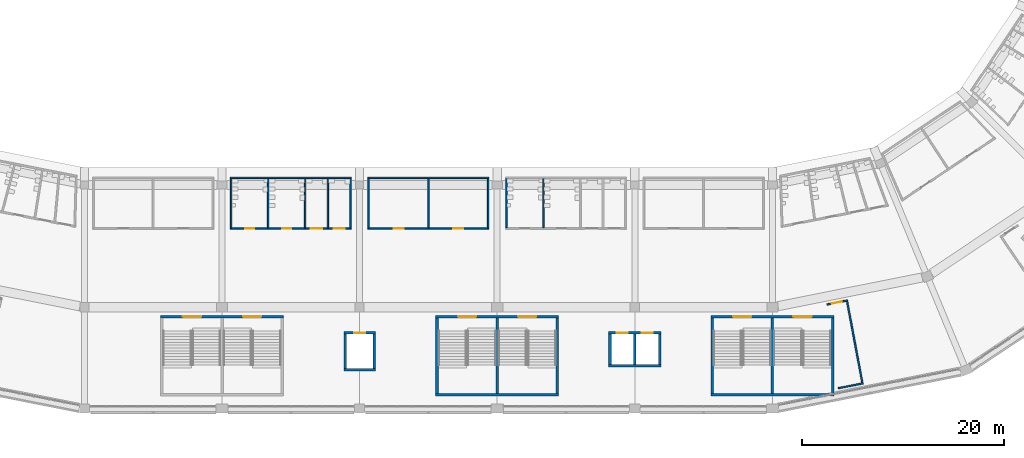
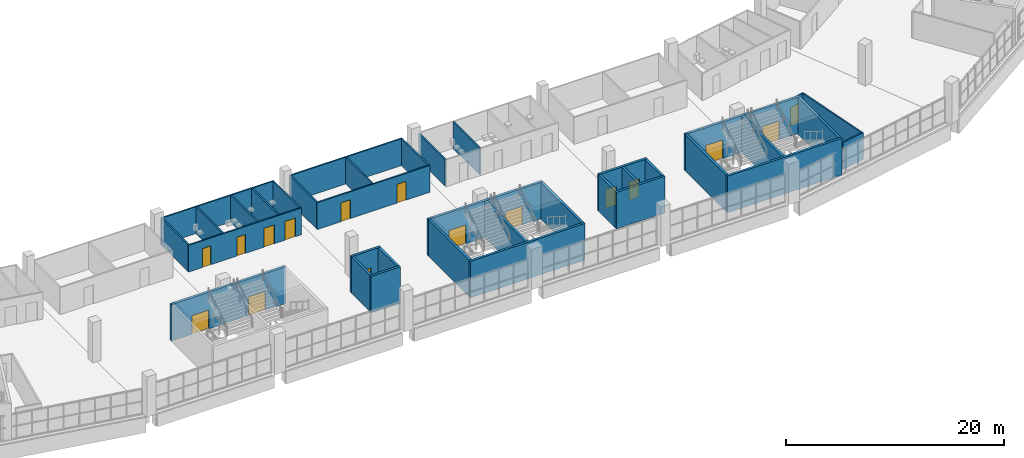
# One storey, part 77 of 199: 37 walls, 16 doors, 16 openings.
"""IFC4 building model written with IfcOpenShell, lengths in metres."""

from ifc_helpers import new_model, si_unit, direction, frame, frame_2d, origin, place, context, subcontext, project, spatial, rectangle, extrude, material, layer, layer_set, type_object, element, fill, save


model = new_model("IFC4")

# Units and contexts
model_context = context("Model", 3, precision=1e-05, world=origin(), true_north=direction((0.0, 1.0)))
body_context = subcontext(model_context, "Body", "Model", "MODEL_VIEW")
ifc_project = project(units=[si_unit("LENGTHUNIT", "METRE"), si_unit("AREAUNIT", "SQUARE_METRE"), si_unit("VOLUMEUNIT", "CUBIC_METRE"), si_unit("PLANEANGLEUNIT", "RADIAN"), si_unit("MASSUNIT", "GRAM", prefix="KILO")], contexts=[model_context])

# Site, building, storey
site_placement = place(None, origin())
site = spatial("IfcSite", under=ifc_project, at=site_placement, CompositionType="ELEMENT")
building_placement = place(site_placement, origin())
building = spatial("IfcBuilding", under=site, at=building_placement, Name="Ogive Plaza Stadium", CompositionType="ELEMENT")
storey_placement = place(building_placement, frame((0.0, 0.0, 4.5)))
storey = spatial("IfcBuildingStorey", under=building, at=storey_placement, Name="L01", CompositionType="ELEMENT", Elevation=4.5)

# Wall
ifc_material_1 = material(Name="Masonry blockwork", Category="masonry")
ifc_layer_1 = layer(ifc_material_1, 0.14990234375)
ifc_layer_set_1 = layer_set([ifc_layer_1], Name="Blockwork wall 150")
wall_type_1 = type_object("IfcWallType", Name="Blockwork wall 150", PredefinedType="SOLIDWALL", material=ifc_layer_set_1)
wall_1_placement = place(storey_placement, frame((5.97509765625, -79.699951171875, 0.0), z_axis=(0.0, 0.0, 1.0), x_axis=(-1.0, 0.0, 0.0)))
element("IfcWall", 1, at=wall_1_placement, inside=storey, type_object=wall_type_1, Name="Wall L01 B14", PredefinedType="SOLIDWALL", context=body_context, shape_type="SweptSolid", body=[
    extrude(rectangle(XDim=11.9501953125, YDim=0.14990234375, at=frame_2d((5.97509765625, 0.0))), origin(), (0.0, 0.0, 1.0), 3.0),
])

# Wall, openings, doors
wall_2_placement = place(storey_placement, frame((5.97509765625, -84.699951171875, 0.0), z_axis=(0.0, 0.0, 1.0), x_axis=(-1.0, 0.0, 0.0)))
wall_2 = element("IfcWall", 2, at=wall_2_placement, inside=storey, type_object=wall_type_1, Name="Wall L01 B14", PredefinedType="SOLIDWALL", context=body_context, shape_type="SweptSolid", body=[
    extrude(rectangle(XDim=11.9501953125, YDim=0.14990234375, at=frame_2d((5.97509765625, 0.0))), origin(), (0.0, 0.0, 1.0), 3.0),
])
opening_1_placement = place(wall_2_placement, frame((2.52490234375, 0.0, 0.0)))
opening_1 = element("IfcOpeningElement", 3, at=opening_1_placement, cuts=wall_2, Name="Opening D0513", PredefinedType="OPENING", context=body_context, shape_type="SweptSolid", body=[
    extrude(rectangle(XDim=1.0, YDim=2.10009765625, at=frame_2d((0.5, 1.050048828125))), frame((0.0, 0.074951171875, 0.0), z_axis=(0.0, -1.0, 0.0), x_axis=(1.0, 0.0, 0.0)), (0.0, 0.0, 1.0), 0.14990234375),
])
opening_2_placement = place(wall_2_placement, frame((8.425048828125, 0.0, 0.0)))
opening_2 = element("IfcOpeningElement", 4, at=opening_2_placement, cuts=wall_2, Name="Opening D0514", PredefinedType="OPENING", context=body_context, shape_type="SweptSolid", body=[
    extrude(rectangle(XDim=1.0, YDim=2.10009765625, at=frame_2d((0.5, 1.050048828125))), frame((0.0, 0.074951171875, 0.0), z_axis=(0.0, -1.0, 0.0), x_axis=(1.0, 0.0, 0.0)), (0.0, 0.0, 1.0), 0.14990234375),
])
ifc_material_2 = material(Name="Steel ASTM A572 Grade 50", Category="steel")
door_type_1 = type_object("IfcDoorType", Name="Door 1000 x 2100", OperationType="SINGLE_SWING_LEFT", PredefinedType="DOOR", material=ifc_material_2)
door_1_placement = place(opening_1_placement, origin())
door_1 = element("IfcDoor", 5, at=door_1_placement, inside=storey, type_object=door_type_1, Name="Club Bar B14 door", OperationType="SINGLE_SWING_RIGHT", OverallHeight=2.10009765625, OverallWidth=1.0, PredefinedType="DOOR", context=body_context, shape_type="SweptSolid", body=[
    extrude(rectangle(XDim=1.0, YDim=2.10009765625, at=frame_2d((0.5, 1.050048828125))), frame((0.0, 0.02490234375, 0.0), z_axis=(0.0, -1.0, 0.0), x_axis=(1.0, 0.0, 0.0)), (0.0, 0.0, 1.0), 0.050048828125),
])
fill(opening_1, door_1)
ifc_material_3 = material(Name="Steel ASTM A572 Grade 50", Category="steel")
door_type_2 = type_object("IfcDoorType", Name="Fire door FD60 1000 x 2100", OperationType="SINGLE_SWING_LEFT", PredefinedType="DOOR", material=ifc_material_3)
door_2_placement = place(opening_2_placement, origin())
door_2 = element("IfcDoor", 6, at=door_2_placement, inside=storey, type_object=door_type_2, Name="Club Kitchen B14 door", OperationType="SINGLE_SWING_LEFT", OverallHeight=2.10009765625, OverallWidth=1.0, PredefinedType="DOOR", context=body_context, shape_type="SweptSolid", body=[
    extrude(rectangle(XDim=1.0, YDim=2.10009765625, at=frame_2d((0.5, 1.050048828125))), frame((0.0, 0.02490234375, 0.0), z_axis=(0.0, -1.0, 0.0), x_axis=(1.0, 0.0, 0.0)), (0.0, 0.0, 1.0), 0.050048828125),
])
fill(opening_2, door_2)

# Walls
for number, where, z_axis, x_axis, name in (
    (7, (5.89990234375, -79.77490234375, 0.0), (0.0, 0.0, 1.0), (0.0, -1.0, 0.0), "Wall L01 B14"),
    (8, (0.0, -79.77490234375, 0.0), (0.0, 0.0, 1.0), (0.0, -1.0, 0.0), "Wall L01 B14"),
    (9, (-5.89990234375, -79.77490234375, 0.0), (0.0, 0.0, 1.0), (0.0, -1.0, 0.0), "Wall L01 B14"),
):
    element("IfcWall", number, at=place(storey_placement, frame(where, z_axis=z_axis, x_axis=x_axis)), inside=storey, type_object=wall_type_1, Name=name, PredefinedType="SOLIDWALL", context=body_context, shape_type="SweptSolid", body=[
        extrude(rectangle(XDim=4.85009765625, YDim=0.14990234375, at=frame_2d((2.425048828125, 0.0))), origin(), (0.0, 0.0, 1.0), 3.0),
    ])

# Wall, openings, doors
ifc_material_4 = material(Name="Concrete C40/50", Category="concrete")
ifc_layer_2 = layer(ifc_material_4, 0.25)
ifc_layer_set_2 = layer_set([ifc_layer_2], Name="Concrete C40/50")
wall_type_2 = type_object("IfcWallType", Name="Core wall 250", PredefinedType="SHEAR", material=ifc_layer_set_2)
wall_3_placement = place(storey_placement, frame((27.925048828125, -93.425048828125, 0.0), z_axis=(0.0, 0.0, 1.0), x_axis=(1.0, 0.0, 0.0)))
wall_3 = element("IfcWall", 10, at=wall_3_placement, inside=storey, type_object=wall_type_2, Name="Stair core R12 inner wall", PredefinedType="SHEAR", context=body_context, shape_type="SweptSolid", body=[
    extrude(rectangle(XDim=12.14990234375, YDim=0.25, at=frame_2d((6.074951171875, 0.0))), origin(), (0.0, 0.0, 1.0), 4.090087890625),
])
opening_3_placement = place(wall_3_placement, frame((2.199951171875, 0.0, 0.0)))
opening_3 = element("IfcOpeningElement", 11, at=opening_3_placement, cuts=wall_3, Name="Opening D0109", PredefinedType="OPENING", context=body_context, shape_type="SweptSolid", body=[
    extrude(rectangle(XDim=1.800048828125, YDim=2.10009765625, at=frame_2d((0.89990234375, 1.050048828125))), frame((0.0, 0.125, 0.0), z_axis=(0.0, -1.0, 0.0), x_axis=(1.0, 0.0, 0.0)), (0.0, 0.0, 1.0), 0.25),
])
opening_4_placement = place(wall_3_placement, frame((8.14990234375, 0.0, 0.0)))
opening_4 = element("IfcOpeningElement", 12, at=opening_4_placement, cuts=wall_3, Name="Opening D0110", PredefinedType="OPENING", context=body_context, shape_type="SweptSolid", body=[
    extrude(rectangle(XDim=1.800048828125, YDim=2.10009765625, at=frame_2d((0.89990234375, 1.050048828125))), frame((0.0, 0.125, 0.0), z_axis=(0.0, -1.0, 0.0), x_axis=(1.0, 0.0, 0.0)), (0.0, 0.0, 1.0), 0.25),
])
ifc_material_5 = material(Name="Steel ASTM A572 Grade 50", Category="steel")
door_type_3 = type_object("IfcDoorType", Name="Fire door FD90 pair 1800 x 2100", OperationType="DOUBLE_DOOR_SINGLE_SWING", PredefinedType="DOOR", material=ifc_material_5)
door_3_placement = place(opening_3_placement, origin())
door_3 = element("IfcDoor", 13, at=door_3_placement, inside=storey, type_object=door_type_3, Name="Exit stair R12A door L01", OperationType="DOUBLE_DOOR_SINGLE_SWING", OverallHeight=2.10009765625, OverallWidth=1.800048828125, PredefinedType="DOOR", context=body_context, shape_type="SweptSolid", body=[
    extrude(rectangle(XDim=1.800048828125, YDim=2.10009765625, at=frame_2d((0.89990234375, 1.050048828125))), frame((0.0, 0.02490234375, 0.0), z_axis=(0.0, -1.0, 0.0), x_axis=(1.0, 0.0, 0.0)), (0.0, 0.0, 1.0), 0.050048828125),
])
fill(opening_3, door_3)
door_4_placement = place(opening_4_placement, origin())
door_4 = element("IfcDoor", 14, at=door_4_placement, inside=storey, type_object=door_type_3, Name="Exit stair R12B door L01", OperationType="DOUBLE_DOOR_SINGLE_SWING", OverallHeight=2.10009765625, OverallWidth=1.800048828125, PredefinedType="DOOR", context=body_context, shape_type="SweptSolid", body=[
    extrude(rectangle(XDim=1.800048828125, YDim=2.10009765625, at=frame_2d((0.89990234375, 1.050048828125))), frame((0.0, 0.02490234375, 0.0), z_axis=(0.0, -1.0, 0.0), x_axis=(1.0, 0.0, 0.0)), (0.0, 0.0, 1.0), 0.050048828125),
])
fill(opening_4, door_4)

# Walls
wall_4_placement = place(storey_placement, frame((27.925048828125, -101.135009765625, 0.0), z_axis=(0.0, 0.0, 1.0), x_axis=(1.0, 0.0, 0.0)))
element("IfcWall", 15, at=wall_4_placement, inside=storey, type_object=wall_type_2, Name="Stair core R12 outer wall", PredefinedType="SHEAR", context=body_context, shape_type="SweptSolid", body=[
    extrude(rectangle(XDim=12.14990234375, YDim=0.25, at=frame_2d((6.074951171875, 0.0))), origin(), (0.0, 0.0, 1.0), 4.090087890625),
])
for number, where, z_axis, x_axis, name in (
    (16, (28.050048828125, -93.550048828125, 0.0), (0.0, 0.0, 1.0), (0.0, -1.0, 0.0), "Stair core R12 side wall"),
    (17, (39.949951171875, -93.550048828125, 0.0), (0.0, 0.0, 1.0), (0.0, -1.0, 0.0), "Stair core R12 side wall"),
    (18, (34.0, -93.550048828125, 0.0), (0.0, 0.0, 1.0), (0.0, -1.0, 0.0), "Stair core R12 centre wall"),
):
    element("IfcWall", number, at=place(storey_placement, frame(where, z_axis=z_axis, x_axis=x_axis)), inside=storey, type_object=wall_type_2, Name=name, PredefinedType="SHEAR", context=body_context, shape_type="SweptSolid", body=[
        extrude(rectangle(XDim=7.4599609375, YDim=0.25, at=frame_2d((3.72998046875, 0.0))), origin(), (0.0, 0.0, 1.0), 4.090087890625),
    ])

# Wall, openings, doors
wall_5_placement = place(storey_placement, frame((0.72509765625, -93.425048828125, 0.0), z_axis=(0.0, 0.0, 1.0), x_axis=(1.0, 0.0, 0.0)))
wall_5 = element("IfcWall", 19, at=wall_5_placement, inside=storey, type_object=wall_type_2, Name="Stair core R14 inner wall", PredefinedType="SHEAR", context=body_context, shape_type="SweptSolid", body=[
    extrude(rectangle(XDim=12.14990234375, YDim=0.25, at=frame_2d((6.074951171875, 0.0))), origin(), (0.0, 0.0, 1.0), 4.090087890625),
])
opening_5_placement = place(wall_5_placement, frame((2.199951171875, 0.0, 0.0)))
opening_5 = element("IfcOpeningElement", 20, at=opening_5_placement, cuts=wall_5, Name="Opening D0121", PredefinedType="OPENING", context=body_context, shape_type="SweptSolid", body=[
    extrude(rectangle(XDim=1.800048828125, YDim=2.10009765625, at=frame_2d((0.89990234375, 1.050048828125))), frame((0.0, 0.125, 0.0), z_axis=(0.0, -1.0, 0.0), x_axis=(1.0, 0.0, 0.0)), (0.0, 0.0, 1.0), 0.25),
])
opening_6_placement = place(wall_5_placement, frame((8.14990234375, 0.0, 0.0)))
opening_6 = element("IfcOpeningElement", 21, at=opening_6_placement, cuts=wall_5, Name="Opening D0122", PredefinedType="OPENING", context=body_context, shape_type="SweptSolid", body=[
    extrude(rectangle(XDim=1.800048828125, YDim=2.10009765625, at=frame_2d((0.89990234375, 1.050048828125))), frame((0.0, 0.125, 0.0), z_axis=(0.0, -1.0, 0.0), x_axis=(1.0, 0.0, 0.0)), (0.0, 0.0, 1.0), 0.25),
])
door_5_placement = place(opening_5_placement, origin())
door_5 = element("IfcDoor", 22, at=door_5_placement, inside=storey, type_object=door_type_3, Name="Exit stair R14A door L01", OperationType="DOUBLE_DOOR_SINGLE_SWING", OverallHeight=2.10009765625, OverallWidth=1.800048828125, PredefinedType="DOOR", context=body_context, shape_type="SweptSolid", body=[
    extrude(rectangle(XDim=1.800048828125, YDim=2.10009765625, at=frame_2d((0.89990234375, 1.050048828125))), frame((0.0, 0.02490234375, 0.0), z_axis=(0.0, -1.0, 0.0), x_axis=(1.0, 0.0, 0.0)), (0.0, 0.0, 1.0), 0.050048828125),
])
fill(opening_5, door_5)
door_6_placement = place(opening_6_placement, origin())
door_6 = element("IfcDoor", 23, at=door_6_placement, inside=storey, type_object=door_type_3, Name="Exit stair R14B door L01", OperationType="DOUBLE_DOOR_SINGLE_SWING", OverallHeight=2.10009765625, OverallWidth=1.800048828125, PredefinedType="DOOR", context=body_context, shape_type="SweptSolid", body=[
    extrude(rectangle(XDim=1.800048828125, YDim=2.10009765625, at=frame_2d((0.89990234375, 1.050048828125))), frame((0.0, 0.02490234375, 0.0), z_axis=(0.0, -1.0, 0.0), x_axis=(1.0, 0.0, 0.0)), (0.0, 0.0, 1.0), 0.050048828125),
])
fill(opening_6, door_6)

# Walls
wall_6_placement = place(storey_placement, frame((0.72509765625, -101.135009765625, 0.0), z_axis=(0.0, 0.0, 1.0), x_axis=(1.0, 0.0, 0.0)))
element("IfcWall", 24, at=wall_6_placement, inside=storey, type_object=wall_type_2, Name="Stair core R14 outer wall", PredefinedType="SHEAR", context=body_context, shape_type="SweptSolid", body=[
    extrude(rectangle(XDim=12.14990234375, YDim=0.25, at=frame_2d((6.074951171875, 0.0))), origin(), (0.0, 0.0, 1.0), 4.090087890625),
])
for number, where, z_axis, x_axis, name in (
    (25, (0.85009765625, -93.550048828125, 0.0), (0.0, 0.0, 1.0), (0.0, -1.0, 0.0), "Stair core R14 side wall"),
    (26, (12.75, -93.550048828125, 0.0), (0.0, 0.0, 1.0), (0.0, -1.0, 0.0), "Stair core R14 side wall"),
    (27, (6.800048828125, -93.550048828125, 0.0), (0.0, 0.0, 1.0), (0.0, -1.0, 0.0), "Stair core R14 centre wall"),
):
    element("IfcWall", number, at=place(storey_placement, frame(where, z_axis=z_axis, x_axis=x_axis)), inside=storey, type_object=wall_type_2, Name=name, PredefinedType="SHEAR", context=body_context, shape_type="SweptSolid", body=[
        extrude(rectangle(XDim=7.4599609375, YDim=0.25, at=frame_2d((3.72998046875, 0.0))), origin(), (0.0, 0.0, 1.0), 4.090087890625),
    ])

# Wall, openings, doors
wall_7_placement = place(storey_placement, frame((-26.47509765625, -93.425048828125, 0.0), z_axis=(0.0, 0.0, 1.0), x_axis=(1.0, 0.0, 0.0)))
wall_7 = element("IfcWall", 28, at=wall_7_placement, inside=storey, type_object=wall_type_2, Name="Stair core R16 inner wall", PredefinedType="SHEAR", context=body_context, shape_type="SweptSolid", body=[
    extrude(rectangle(XDim=12.150146484375, YDim=0.25, at=frame_2d((6.0751953125, 0.0))), origin(), (0.0, 0.0, 1.0), 4.090087890625),
])
opening_7_placement = place(wall_7_placement, frame((2.199951171875, 0.0, 0.0)))
opening_7 = element("IfcOpeningElement", 29, at=opening_7_placement, cuts=wall_7, Name="Opening D0135", PredefinedType="OPENING", context=body_context, shape_type="SweptSolid", body=[
    extrude(rectangle(XDim=1.800048828125, YDim=2.10009765625, at=frame_2d((0.89990234375, 1.050048828125))), frame((0.0, 0.125, 0.0), z_axis=(0.0, -1.0, 0.0), x_axis=(1.0, 0.0, 0.0)), (0.0, 0.0, 1.0), 0.25),
])
opening_8_placement = place(wall_7_placement, frame((8.14990234375, 0.0, 0.0)))
opening_8 = element("IfcOpeningElement", 30, at=opening_8_placement, cuts=wall_7, Name="Opening D0136", PredefinedType="OPENING", context=body_context, shape_type="SweptSolid", body=[
    extrude(rectangle(XDim=1.800048828125, YDim=2.10009765625, at=frame_2d((0.89990234375, 1.050048828125))), frame((0.0, 0.125, 0.0), z_axis=(0.0, -1.0, 0.0), x_axis=(1.0, 0.0, 0.0)), (0.0, 0.0, 1.0), 0.25),
])
door_7_placement = place(opening_7_placement, origin())
door_7 = element("IfcDoor", 31, at=door_7_placement, inside=storey, type_object=door_type_3, Name="Exit stair R16A door L01", OperationType="DOUBLE_DOOR_SINGLE_SWING", OverallHeight=2.10009765625, OverallWidth=1.800048828125, PredefinedType="DOOR", context=body_context, shape_type="SweptSolid", body=[
    extrude(rectangle(XDim=1.800048828125, YDim=2.10009765625, at=frame_2d((0.89990234375, 1.050048828125))), frame((0.0, 0.02490234375, 0.0), z_axis=(0.0, -1.0, 0.0), x_axis=(1.0, 0.0, 0.0)), (0.0, 0.0, 1.0), 0.050048828125),
])
fill(opening_7, door_7)
door_8_placement = place(opening_8_placement, origin())
door_8 = element("IfcDoor", 32, at=door_8_placement, inside=storey, type_object=door_type_3, Name="Exit stair R16B door L01", OperationType="DOUBLE_DOOR_SINGLE_SWING", OverallHeight=2.10009765625, OverallWidth=1.800048828125, PredefinedType="DOOR", context=body_context, shape_type="SweptSolid", body=[
    extrude(rectangle(XDim=1.800048828125, YDim=2.10009765625, at=frame_2d((0.89990234375, 1.050048828125))), frame((0.0, 0.02490234375, 0.0), z_axis=(0.0, -1.0, 0.0), x_axis=(1.0, 0.0, 0.0)), (0.0, 0.0, 1.0), 0.050048828125),
])
fill(opening_8, door_8)

wall_8_placement = place(storey_placement, frame((17.824951171875, -95.02490234375, 0.0), z_axis=(0.0, 0.0, 1.0), x_axis=(1.0, 0.0, 0.0)))
wall_8 = element("IfcWall", 33, at=wall_8_placement, inside=storey, type_object=wall_type_2, Name="Lift core LP13 landing wall", PredefinedType="SHEAR", context=body_context, shape_type="SweptSolid", body=[
    extrude(rectangle(XDim=5.150146484375, YDim=0.25, at=frame_2d((2.5751953125, 0.0))), origin(), (0.0, 0.0, 1.0), 4.090087890625),
])
opening_9_placement = place(wall_8_placement, frame((0.800048828125, 0.0, 0.0)))
opening_9 = element("IfcOpeningElement", 34, at=opening_9_placement, cuts=wall_8, Name="Opening LD025", PredefinedType="OPENING", context=body_context, shape_type="SweptSolid", body=[
    extrude(rectangle(XDim=1.10009765625, YDim=2.10009765625, at=frame_2d((0.550048828125, 1.050048828125))), frame((0.0, 0.125, 0.0), z_axis=(0.0, -1.0, 0.0), x_axis=(1.0, 0.0, 0.0)), (0.0, 0.0, 1.0), 0.25),
])
opening_10_placement = place(wall_8_placement, frame((3.25, 0.0, 0.0)))
opening_10 = element("IfcOpeningElement", 35, at=opening_10_placement, cuts=wall_8, Name="Opening LD026", PredefinedType="OPENING", context=body_context, shape_type="SweptSolid", body=[
    extrude(rectangle(XDim=1.10009765625, YDim=2.10009765625, at=frame_2d((0.550048828125, 1.050048828125))), frame((0.0, 0.125, 0.0), z_axis=(0.0, -1.0, 0.0), x_axis=(1.0, 0.0, 0.0)), (0.0, 0.0, 1.0), 0.25),
])
ifc_material_6 = material(Name="Steel ASTM A572 Grade 50", Category="steel")
door_type_4 = type_object("IfcDoorType", Name="Landing door 1100 x 2100", OperationType="SLIDING_TO_LEFT", PredefinedType="DOOR", material=ifc_material_6)
door_9_placement = place(opening_9_placement, origin())
door_9 = element("IfcDoor", 36, at=door_9_placement, inside=storey, type_object=door_type_4, Name="Lift landing door LP13 L01", OperationType="SLIDING_TO_LEFT", OverallHeight=2.10009765625, OverallWidth=1.10009765625, PredefinedType="DOOR", context=body_context, shape_type="SweptSolid", body=[
    extrude(rectangle(XDim=1.10009765625, YDim=2.10009765625, at=frame_2d((0.550048828125, 1.050048828125))), frame((0.0, 0.02490234375, 0.0), z_axis=(0.0, -1.0, 0.0), x_axis=(1.0, 0.0, 0.0)), (0.0, 0.0, 1.0), 0.050048828125),
])
fill(opening_9, door_9)
door_10_placement = place(opening_10_placement, origin())
door_10 = element("IfcDoor", 37, at=door_10_placement, inside=storey, type_object=door_type_4, Name="Lift landing door LP13 L01", OperationType="SLIDING_TO_LEFT", OverallHeight=2.10009765625, OverallWidth=1.10009765625, PredefinedType="DOOR", context=body_context, shape_type="SweptSolid", body=[
    extrude(rectangle(XDim=1.10009765625, YDim=2.10009765625, at=frame_2d((0.550048828125, 1.050048828125))), frame((0.0, 0.02490234375, 0.0), z_axis=(0.0, -1.0, 0.0), x_axis=(1.0, 0.0, 0.0)), (0.0, 0.0, 1.0), 0.050048828125),
])
fill(opening_10, door_10)

# Walls
wall_9_placement = place(storey_placement, frame((17.824951171875, -98.27490234375, 0.0), z_axis=(0.0, 0.0, 1.0), x_axis=(1.0, 0.0, 0.0)))
element("IfcWall", 38, at=wall_9_placement, inside=storey, type_object=wall_type_2, Name="Lift core LP13 rear wall", PredefinedType="SHEAR", context=body_context, shape_type="SweptSolid", body=[
    extrude(rectangle(XDim=5.150146484375, YDim=0.25, at=frame_2d((2.5751953125, 0.0))), origin(), (0.0, 0.0, 1.0), 4.090087890625),
])
for number, where, z_axis, x_axis, name in (
    (39, (17.949951171875, -95.14990234375, 0.0), (0.0, 0.0, 1.0), (0.0, -1.0, 0.0), "Lift core LP13 side wall"),
    (40, (22.85009765625, -95.14990234375, 0.0), (0.0, 0.0, 1.0), (0.0, -1.0, 0.0), "Lift core LP13 side wall"),
    (41, (20.39990234375, -95.14990234375, 0.0), (0.0, 0.0, 1.0), (0.0, -1.0, 0.0), "Lift core LP13 centre wall"),
):
    element("IfcWall", number, at=place(storey_placement, frame(where, z_axis=z_axis, x_axis=x_axis)), inside=storey, type_object=wall_type_2, Name=name, PredefinedType="SHEAR", context=body_context, shape_type="SweptSolid", body=[
        extrude(rectangle(XDim=3.0, YDim=0.25, at=frame_2d((1.5, 0.0))), origin(), (0.0, 0.0, 1.0), 4.090087890625),
    ])

# Wall, opening, door
wall_10_placement = place(storey_placement, frame((-8.35009765625, -95.02490234375, 0.0), z_axis=(0.0, 0.0, 1.0), x_axis=(1.0, 0.0, 0.0)))
wall_10 = element("IfcWall", 42, at=wall_10_placement, inside=storey, type_object=wall_type_2, Name="Lift core LS15 landing wall", PredefinedType="SHEAR", context=body_context, shape_type="SweptSolid", body=[
    extrude(rectangle(XDim=3.10009765625, YDim=0.25, at=frame_2d((1.550048828125, 0.0))), origin(), (0.0, 0.0, 1.0), 4.090087890625),
])
opening_11_placement = place(wall_10_placement, frame((1.0, 0.0, 0.0)))
opening_11 = element("IfcOpeningElement", 43, at=opening_11_placement, cuts=wall_10, Name="Opening LD037", PredefinedType="OPENING", context=body_context, shape_type="SweptSolid", body=[
    extrude(rectangle(XDim=1.10009765625, YDim=2.10009765625, at=frame_2d((0.550048828125, 1.050048828125))), frame((0.0, 0.125, 0.0), z_axis=(0.0, -1.0, 0.0), x_axis=(1.0, 0.0, 0.0)), (0.0, 0.0, 1.0), 0.25),
])
door_11_placement = place(opening_11_placement, origin())
door_11 = element("IfcDoor", 44, at=door_11_placement, inside=storey, type_object=door_type_4, Name="Lift landing door LS15 L01", OperationType="SLIDING_TO_LEFT", OverallHeight=2.10009765625, OverallWidth=1.10009765625, PredefinedType="DOOR", context=body_context, shape_type="SweptSolid", body=[
    extrude(rectangle(XDim=1.10009765625, YDim=2.10009765625, at=frame_2d((0.550048828125, 1.050048828125))), frame((0.0, 0.02490234375, 0.0), z_axis=(0.0, -1.0, 0.0), x_axis=(1.0, 0.0, 0.0)), (0.0, 0.0, 1.0), 0.050048828125),
])
fill(opening_11, door_11)

# Walls
wall_11_placement = place(storey_placement, frame((-8.35009765625, -98.675048828125, 0.0), z_axis=(0.0, 0.0, 1.0), x_axis=(1.0, 0.0, 0.0)))
element("IfcWall", 45, at=wall_11_placement, inside=storey, type_object=wall_type_2, Name="Lift core LS15 rear wall", PredefinedType="SHEAR", context=body_context, shape_type="SweptSolid", body=[
    extrude(rectangle(XDim=3.10009765625, YDim=0.25, at=frame_2d((1.550048828125, 0.0))), origin(), (0.0, 0.0, 1.0), 4.090087890625),
])
for number, where, z_axis, x_axis, name in (
    (46, (-8.22509765625, -95.14990234375, 0.0), (0.0, 0.0, 1.0), (0.0, -1.0, 0.0), "Lift core LS15 side wall"),
    (47, (-5.375, -95.14990234375, 0.0), (0.0, 0.0, 1.0), (0.0, -1.0, 0.0), "Lift core LS15 side wall"),
):
    element("IfcWall", number, at=place(storey_placement, frame(where, z_axis=z_axis, x_axis=x_axis)), inside=storey, type_object=wall_type_2, Name=name, PredefinedType="SHEAR", context=body_context, shape_type="SweptSolid", body=[
        extrude(rectangle(XDim=3.400146484375, YDim=0.25, at=frame_2d((1.7001953125, 0.0))), origin(), (0.0, 0.0, 1.0), 4.090087890625),
    ])

# Wall, opening, door
ifc_material_7 = material(Name="Gypsum board partition", Category="gypsum")
ifc_layer_3 = layer(ifc_material_7, 0.14990234375)
ifc_layer_set_3 = layer_set([ifc_layer_3], Name="Partition 150")
wall_type_3 = type_object("IfcWallType", Name="Partition 150", PredefinedType="PARTITIONING", material=ifc_layer_set_3)
wall_12_placement = place(storey_placement, frame((39.396240234375, -92.2265625, 0.0), z_axis=(0.0, 0.0, 1.0), x_axis=(0.980792255889, 0.195055250603, 0.0)))
wall_12 = element("IfcWall", 48, at=wall_12_placement, inside=storey, type_object=wall_type_3, Name="Wall L01 B11", PredefinedType="PARTITIONING", context=body_context, shape_type="SweptSolid", body=[
    extrude(rectangle(XDim=2.080322265625, YDim=0.14990234375, at=frame_2d((1.0400390625, 0.0))), origin(), (0.0, 0.0, 1.0), 3.0),
])
opening_12_placement = place(wall_12_placement, frame((0.47216796875, 0.0, 0.0)))
opening_12 = element("IfcOpeningElement", 49, at=opening_12_placement, cuts=wall_12, Name="Opening D0506", PredefinedType="OPENING", context=body_context, shape_type="SweptSolid", body=[
    extrude(rectangle(XDim=1.0, YDim=2.10009765625, at=frame_2d((0.5, 1.050048828125))), frame((0.0, 0.074951171875, 0.0), z_axis=(0.0, -1.0, 0.0), x_axis=(1.0, 0.0, 0.0)), (0.0, 0.0, 1.0), 0.14990234375),
])
door_12_placement = place(opening_12_placement, origin())
door_12 = element("IfcDoor", 50, at=door_12_placement, inside=storey, type_object=door_type_1, Name="Club Reception B11 door", OperationType="SINGLE_SWING_LEFT", OverallHeight=2.10009765625, OverallWidth=1.0, PredefinedType="DOOR", context=body_context, shape_type="SweptSolid", body=[
    extrude(rectangle(XDim=1.0, YDim=2.10009765625, at=frame_2d((0.5, 1.050048828125))), frame((0.0, 0.02490234375, 0.0), z_axis=(0.0, -1.0, 0.0), x_axis=(1.0, 0.0, 0.0)), (0.0, 0.0, 1.0), 0.050048828125),
])
fill(opening_12, door_12)

# Walls
wall_13_placement = place(storey_placement, frame((40.520263671875, -100.5029296875, 0.0), z_axis=(0.0, 0.0, 1.0), x_axis=(0.980796747004, 0.195032666665, 0.0)))
element("IfcWall", 51, at=wall_13_placement, inside=storey, type_object=wall_type_3, Name="Wall L01 B11", PredefinedType="PARTITIONING", context=body_context, shape_type="SweptSolid", body=[
    extrude(rectangle(XDim=2.513671875, YDim=0.14990234375, at=frame_2d((1.2568359375, 0.0))), origin(), (0.0, 0.0, 1.0), 3.0),
])
wall_14_placement = place(storey_placement, frame((41.38330078125, -91.90625, 0.0), z_axis=(0.0, 0.0, 1.0), x_axis=(0.184160747979, -0.982896138411, 0.0)))
element("IfcWall", 52, at=wall_14_placement, inside=storey, type_object=wall_type_3, Name="Wall L01 B11", PredefinedType="PARTITIONING", context=body_context, shape_type="SweptSolid", body=[
    extrude(rectangle(XDim=8.190185546875, YDim=0.14990234375, at=frame_2d((4.09521484375, 0.0))), origin(), (0.0, 0.0, 1.0), 3.0),
])
for number, where, z_axis, x_axis, name in (
    (53, (7.699951171875, -79.77490234375, 0.0), (0.0, 0.0, 1.0), (0.0, -1.0, 0.0), "Wall L01 B13"),
    (54, (11.35791015625, -79.77490234375, 0.0), (0.0, 0.0, 1.0), (0.0, -1.0, 0.0), "Wall L01 B13"),
):
    element("IfcWall", number, at=place(storey_placement, frame(where, z_axis=z_axis, x_axis=x_axis)), inside=storey, type_object=wall_type_3, Name=name, PredefinedType="PARTITIONING", context=body_context, shape_type="SweptSolid", body=[
        extrude(rectangle(XDim=4.85009765625, YDim=0.14990234375, at=frame_2d((2.425048828125, 0.0))), origin(), (0.0, 0.0, 1.0), 3.0),
    ])
wall_15_placement = place(storey_placement, frame((-19.574951171875, -79.699951171875, 0.0), z_axis=(0.0, 0.0, 1.0), x_axis=(1.0, 0.0, 0.0)))
element("IfcWall", 55, at=wall_15_placement, inside=storey, type_object=wall_type_3, Name="Wall L01 B15", PredefinedType="PARTITIONING", context=body_context, shape_type="SweptSolid", body=[
    extrude(rectangle(XDim=11.949951171875, YDim=0.14990234375, at=frame_2d((5.97509765625, 0.0))), origin(), (0.0, 0.0, 1.0), 3.0),
])

# Wall, openings, doors
wall_16_placement = place(storey_placement, frame((-19.574951171875, -84.699951171875, 0.0), z_axis=(0.0, 0.0, 1.0), x_axis=(1.0, 0.0, 0.0)))
wall_16 = element("IfcWall", 56, at=wall_16_placement, inside=storey, type_object=wall_type_3, Name="Wall L01 B15", PredefinedType="PARTITIONING", context=body_context, shape_type="SweptSolid", body=[
    extrude(rectangle(XDim=11.949951171875, YDim=0.14990234375, at=frame_2d((5.97509765625, 0.0))), origin(), (0.0, 0.0, 1.0), 3.0),
])
opening_13_placement = place(wall_16_placement, frame((1.4541015625, 0.0, 0.0)))
opening_13 = element("IfcOpeningElement", 57, at=opening_13_placement, cuts=wall_16, Name="Opening D0515", PredefinedType="OPENING", context=body_context, shape_type="SweptSolid", body=[
    extrude(rectangle(XDim=0.89990234375, YDim=2.10009765625, at=frame_2d((0.449951171875, 1.050048828125))), frame((0.0, 0.074951171875, 0.0), z_axis=(0.0, -1.0, 0.0), x_axis=(1.0, 0.0, 0.0)), (0.0, 0.0, 1.0), 0.14990234375),
])
opening_14_placement = place(wall_16_placement, frame((5.112060546875, 0.0, 0.0)))
opening_14 = element("IfcOpeningElement", 58, at=opening_14_placement, cuts=wall_16, Name="Opening D0516", PredefinedType="OPENING", context=body_context, shape_type="SweptSolid", body=[
    extrude(rectangle(XDim=0.89990234375, YDim=2.10009765625, at=frame_2d((0.449951171875, 1.050048828125))), frame((0.0, 0.074951171875, 0.0), z_axis=(0.0, -1.0, 0.0), x_axis=(1.0, 0.0, 0.0)), (0.0, 0.0, 1.0), 0.14990234375),
])
opening_15_placement = place(wall_16_placement, frame((7.9619140625, 0.0, 0.0)))
opening_15 = element("IfcOpeningElement", 59, at=opening_15_placement, cuts=wall_16, Name="Opening D0517", PredefinedType="OPENING", context=body_context, shape_type="SweptSolid", body=[
    extrude(rectangle(XDim=1.10009765625, YDim=2.10009765625, at=frame_2d((0.550048828125, 1.050048828125))), frame((0.0, 0.074951171875, 0.0), z_axis=(0.0, -1.0, 0.0), x_axis=(1.0, 0.0, 0.0)), (0.0, 0.0, 1.0), 0.14990234375),
])
opening_16_placement = place(wall_16_placement, frame((10.2041015625, 0.0, 0.0)))
opening_16 = element("IfcOpeningElement", 60, at=opening_16_placement, cuts=wall_16, Name="Opening D0518", PredefinedType="OPENING", context=body_context, shape_type="SweptSolid", body=[
    extrude(rectangle(XDim=1.10009765625, YDim=2.10009765625, at=frame_2d((0.550048828125, 1.050048828125))), frame((0.0, 0.074951171875, 0.0), z_axis=(0.0, -1.0, 0.0), x_axis=(1.0, 0.0, 0.0)), (0.0, 0.0, 1.0), 0.14990234375),
])
ifc_material_8 = material(Name="Steel ASTM A572 Grade 50", Category="steel")
door_type_5 = type_object("IfcDoorType", Name="Accessible door 1100 x 2100", OperationType="SINGLE_SWING_LEFT", PredefinedType="DOOR", material=ifc_material_8)
door_13_placement = place(opening_15_placement, origin())
door_13 = element("IfcDoor", 61, at=door_13_placement, inside=storey, type_object=door_type_5, Name="Accessible WC B15 door", OperationType="SINGLE_SWING_LEFT", OverallHeight=2.10009765625, OverallWidth=1.10009765625, PredefinedType="DOOR", context=body_context, shape_type="SweptSolid", body=[
    extrude(rectangle(XDim=1.10009765625, YDim=2.10009765625, at=frame_2d((0.550048828125, 1.050048828125))), frame((0.0, 0.02490234375, 0.0), z_axis=(0.0, -1.0, 0.0), x_axis=(1.0, 0.0, 0.0)), (0.0, 0.0, 1.0), 0.050048828125),
])
fill(opening_15, door_13)
door_14_placement = place(opening_16_placement, origin())
door_14 = element("IfcDoor", 62, at=door_14_placement, inside=storey, type_object=door_type_5, Name="Family WC B15 door", OperationType="SINGLE_SWING_RIGHT", OverallHeight=2.10009765625, OverallWidth=1.10009765625, PredefinedType="DOOR", context=body_context, shape_type="SweptSolid", body=[
    extrude(rectangle(XDim=1.10009765625, YDim=2.10009765625, at=frame_2d((0.550048828125, 1.050048828125))), frame((0.0, 0.02490234375, 0.0), z_axis=(0.0, -1.0, 0.0), x_axis=(1.0, 0.0, 0.0)), (0.0, 0.0, 1.0), 0.050048828125),
])
fill(opening_16, door_14)
ifc_material_9 = material(Name="Steel ASTM A572 Grade 50", Category="steel")
door_type_6 = type_object("IfcDoorType", Name="Door 900 x 2100", OperationType="SINGLE_SWING_LEFT", PredefinedType="DOOR", material=ifc_material_9)
door_15_placement = place(opening_13_placement, origin())
door_15 = element("IfcDoor", 63, at=door_15_placement, inside=storey, type_object=door_type_6, Name="Men's Toilet B15 door", OperationType="SINGLE_SWING_LEFT", OverallHeight=2.10009765625, OverallWidth=0.89990234375, PredefinedType="DOOR", context=body_context, shape_type="SweptSolid", body=[
    extrude(rectangle(XDim=0.89990234375, YDim=2.10009765625, at=frame_2d((0.449951171875, 1.050048828125))), frame((0.0, 0.02490234375, 0.0), z_axis=(0.0, -1.0, 0.0), x_axis=(1.0, 0.0, 0.0)), (0.0, 0.0, 1.0), 0.050048828125),
])
fill(opening_13, door_15)
door_16_placement = place(opening_14_placement, origin())
door_16 = element("IfcDoor", 64, at=door_16_placement, inside=storey, type_object=door_type_6, Name="Women's Toilet B15 door", OperationType="SINGLE_SWING_RIGHT", OverallHeight=2.10009765625, OverallWidth=0.89990234375, PredefinedType="DOOR", context=body_context, shape_type="SweptSolid", body=[
    extrude(rectangle(XDim=0.89990234375, YDim=2.10009765625, at=frame_2d((0.449951171875, 1.050048828125))), frame((0.0, 0.02490234375, 0.0), z_axis=(0.0, -1.0, 0.0), x_axis=(1.0, 0.0, 0.0)), (0.0, 0.0, 1.0), 0.050048828125),
])
fill(opening_14, door_16)

# Walls
for number, where, z_axis, x_axis, name in (
    (65, (-19.5, -79.77490234375, 0.0), (0.0, 0.0, 1.0), (0.0, -1.0, 0.0), "Wall L01 B15"),
    (66, (-15.842041015625, -79.77490234375, 0.0), (0.0, 0.0, 1.0), (0.0, -1.0, 0.0), "Wall L01 B15"),
    (67, (-12.18408203125, -79.77490234375, 0.0), (0.0, 0.0, 1.0), (0.0, -1.0, 0.0), "Wall L01 B15"),
    (68, (-9.94189453125, -79.77490234375, 0.0), (0.0, 0.0, 1.0), (0.0, -1.0, 0.0), "Wall L01 B15"),
    (69, (-7.699951171875, -79.77490234375, 0.0), (0.0, 0.0, 1.0), (0.0, -1.0, 0.0), "Wall L01 B15"),
):
    element("IfcWall", number, at=place(storey_placement, frame(where, z_axis=z_axis, x_axis=x_axis)), inside=storey, type_object=wall_type_3, Name=name, PredefinedType="PARTITIONING", context=body_context, shape_type="SweptSolid", body=[
        extrude(rectangle(XDim=4.85009765625, YDim=0.14990234375, at=frame_2d((2.425048828125, 0.0))), origin(), (0.0, 0.0, 1.0), 3.0),
    ])

save(model, "model.ifc")
